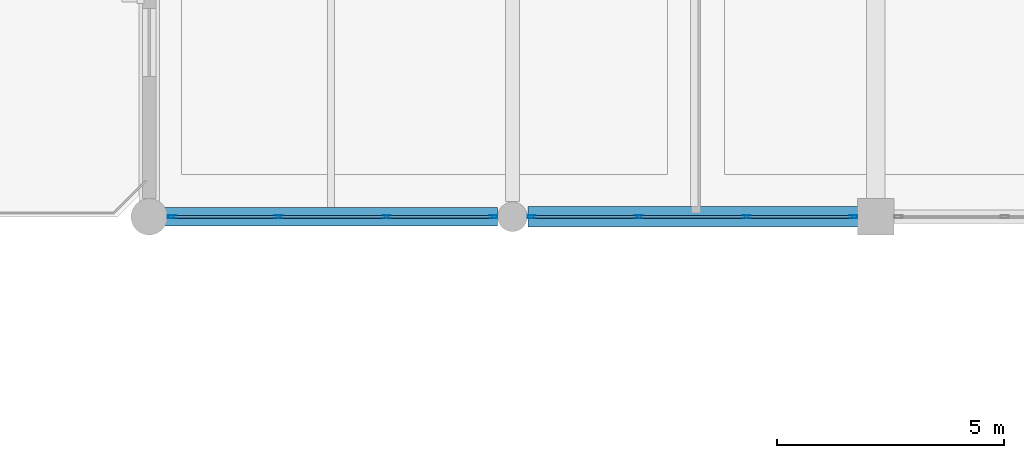
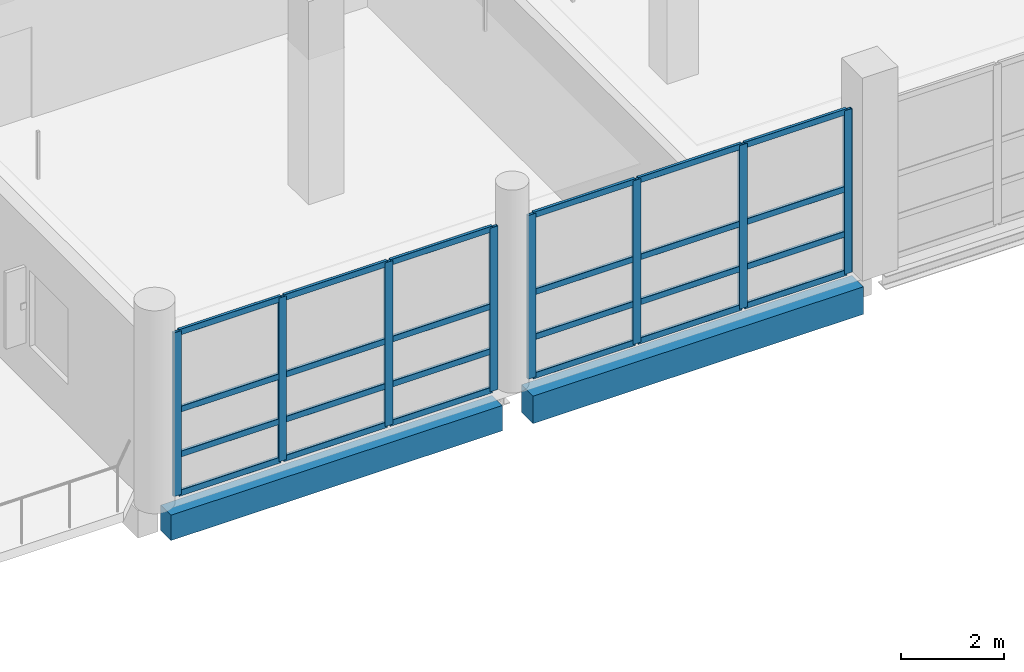
# One storey, part 48 of 107: 32 members, 2 beams, 2 elements without a shape of their own.
"""IFC4 building model written with IfcOpenShell, lengths in metres."""

import ifcopenshell
import ifcopenshell.guid

model = None  # the IFC model being written
_history = None  # IfcOwnerHistory: only IFC2X3 demands one
_inside = {}  # id of a spatial element -> (the spatial element, [elements in it])
_under = {}  # id of a project, library or spatial element -> (it, [spatial elements below it])
_declared = {}  # id of a project -> (the project, [libraries it declares])
_typed = {}  # id of a type object -> (the type object, [elements of that type])
_made_of = {}  # id of a material, layer set ... -> (it, [elements and type objects made of it])


def new_model(schema):
    """Start an empty IFC model of exactly this schema.

    Asked for "IFC4X3", IfcOpenShell would pick the latest addendum, in which some entities
    have other attributes; the version numbers below select the first issue.
    IFC2X3 requires an IfcOwnerHistory on every rooted entity: one is made here for all.
    """
    global model, _history
    if schema == "IFC4X3":
        model = ifcopenshell.file(schema_version=(4, 3, 0, 0))
    else:
        model = ifcopenshell.file(schema=schema)
    _inside.clear()
    _under.clear()
    _declared.clear()
    _typed.clear()
    _made_of.clear()
    _history = None
    if model.schema == "IFC2X3":
        org = make("IfcOrganization", Name="unknown")
        user = make(
            "IfcPersonAndOrganization",
            ThePerson=make("IfcPerson", FamilyName="unknown"),
            TheOrganization=org,
        )
        app = make(
            "IfcApplication",
            ApplicationDeveloper=org,
            Version="unknown",
            ApplicationFullName="unknown",
            ApplicationIdentifier="unknown",
        )
        _history = make(
            "IfcOwnerHistory",
            OwningUser=user,
            OwningApplication=app,
            ChangeAction="ADDED",
            CreationDate=0,
        )
    return model


def make(cls, **values):
    """One entity of the class cls with the attributes given. An attribute that is None is left unset."""
    return model.create_entity(
        cls, **{name: value for name, value in values.items() if value is not None}
    )


def rooted(cls, **values):
    """An entity with a GlobalId (a new one), such as an element, a storey or a relation."""
    return make(cls, GlobalId=ifcopenshell.guid.new(), OwnerHistory=_history, **values)


def si_unit(unit_type, name, prefix=None):
    """IfcSIUnit, for example si_unit("LENGTHUNIT", "METRE", prefix="MILLI")."""
    return make("IfcSIUnit", UnitType=unit_type, Prefix=prefix, Name=name)


def assignment(units):
    """IfcUnitAssignment: the units of a project."""
    return None if units is None else make("IfcUnitAssignment", Units=units)


def point(xyz):
    """IfcCartesianPoint."""
    return None if xyz is None else make("IfcCartesianPoint", Coordinates=xyz)


def direction(xyz):
    """IfcDirection."""
    return None if xyz is None else make("IfcDirection", DirectionRatios=xyz)


def frame(location, z_axis=None, x_axis=None):
    """IfcAxis2Placement3D, a coordinate frame: its origin and axes. An axis left out is left unset."""
    return make(
        "IfcAxis2Placement3D",
        Location=point(location),
        Axis=direction(z_axis),
        RefDirection=direction(x_axis),
    )


def frame_2d(location, x_axis=None):
    """IfcAxis2Placement2D, a coordinate frame in the plane: its origin and x axis."""
    return make(
        "IfcAxis2Placement2D", Location=point(location), RefDirection=direction(x_axis)
    )


def origin():
    """The frame at (0, 0, 0) with its axes left unset."""
    return frame((0.0, 0.0, 0.0))


def origin_2d():
    """The frame at (0, 0) in the plane with its x axis left unset."""
    return frame_2d((0.0, 0.0))


def place(relative_to, where):
    """IfcLocalPlacement: puts the frame where relative to a parent placement (None: the world)."""
    return make(
        "IfcLocalPlacement", PlacementRelTo=relative_to, RelativePlacement=where
    )


def context(
    kind, dimensions, precision=None, world=None, true_north=None, identifier=None
):
    """IfcGeometricRepresentationContext, for example the 3D "Model" context."""
    return make(
        "IfcGeometricRepresentationContext",
        ContextIdentifier=identifier,
        ContextType=kind,
        CoordinateSpaceDimension=dimensions,
        Precision=precision,
        WorldCoordinateSystem=world,
        TrueNorth=true_north,
    )


def subcontext(parent, identifier, kind, view, scale=None):
    """IfcGeometricRepresentationSubContext, for example "Body" below "Model"."""
    return make(
        "IfcGeometricRepresentationSubContext",
        ContextIdentifier=identifier,
        ContextType=kind,
        ParentContext=parent,
        TargetScale=scale,
        TargetView=view,
    )


def project(units=None, contexts=None):
    """IfcProject with its units and contexts."""
    return rooted(
        "IfcProject",
        Name="project",
        RepresentationContexts=contexts,
        UnitsInContext=assignment(units),
    )


def spatial(cls, under=None, at=None, **own):
    """A site, building, storey or space (cls), placed at a placement, below another one or the project."""
    s = rooted(cls, ObjectPlacement=at, **own)
    if under is not None:
        _under.setdefault(under.id(), (under, []))[1].append(s)
    return s


def profile(cls, at=None, kind="AREA", **sizes):
    """A parametric profile (cls). Its sizes go by their IFC names, for example OverallWidth=200.0."""
    return make(cls, ProfileType=kind, Position=at, **sizes)


def rectangle(**sizes):
    """IfcRectangleProfileDef."""
    return profile("IfcRectangleProfileDef", **sizes)


def hollow_rectangle(**sizes):
    """IfcRectangleHollowProfileDef."""
    return profile("IfcRectangleHollowProfileDef", **sizes)


def extrude(swept, where, along, depth):
    """IfcExtrudedAreaSolid: the profile swept, set in the frame where, extruded along a direction by depth."""
    return make(
        "IfcExtrudedAreaSolid",
        SweptArea=swept,
        Position=where,
        ExtrudedDirection=direction(along),
        Depth=depth,
    )


def shape(context_of_items, identifier, shape_type, items):
    """IfcShapeRepresentation: the items that make up one representation, for example the "Body"."""
    return make(
        "IfcShapeRepresentation",
        ContextOfItems=context_of_items,
        RepresentationIdentifier=identifier,
        RepresentationType=shape_type,
        Items=items,
    )


def material(Name=None, Category=None):
    """IfcMaterial."""
    return make("IfcMaterial", Name=Name, Category=Category)


def material_profile(
    of_material, cross_section, Name=None, Category=None, Priority=None
):
    """IfcMaterialProfile: a cross section and its material."""
    return make(
        "IfcMaterialProfile",
        Name=Name,
        Material=of_material,
        Profile=cross_section,
        Priority=Priority,
        Category=Category,
    )


def profile_set(profiles, Name=None, composite=None):
    """IfcMaterialProfileSet."""
    return make(
        "IfcMaterialProfileSet",
        Name=Name,
        MaterialProfiles=profiles,
        CompositeProfile=composite,
    )


def made_of(thing, what):
    """Note that an element or type object is made of a material, layer set ...; save() writes the relation."""
    if what is not None:
        _made_of.setdefault(what.id(), (what, []))[1].append(thing)
    return thing


def type_object(cls, material=None, **own):
    """A type object (cls), such as IfcWallType, which elements share."""
    return made_of(rooted(cls, **own), material)


def element(
    cls,
    number,
    at=None,
    inside=None,
    cuts=None,
    type_object=None,
    material=None,
    context=None,
    identifier="Body",
    shape_type=None,
    held_by="IfcProductDefinitionShape",
    body=None,
    shapes=None,
    **own,
):
    """One element of the class cls, such as IfcWall. Its Tag is "e" and its number.

    at: its placement. inside: the storey or other place that contains it. cuts: it is an
    opening in that element (IfcRelVoidsElement). A single representation is given by context,
    identifier, shape_type and body (its items); several are given by shapes. held_by: the class
    of the entity that holds the representations. save() writes the other relations.
    """
    e = rooted(cls, Tag="e%d" % number, ObjectPlacement=at, **own)
    if body is not None:
        shapes = [shape(context, identifier, shape_type, body)]
    if shapes is not None:
        e.Representation = make(held_by, Representations=shapes)
    if inside is not None:
        _inside.setdefault(inside.id(), (inside, []))[1].append(e)
    if cuts is not None:
        rooted(
            "IfcRelVoidsElement", RelatingBuildingElement=cuts, RelatedOpeningElement=e
        )
    if type_object is not None:
        _typed.setdefault(type_object.id(), (type_object, []))[1].append(e)
    return made_of(e, material)


def aggregate(whole, parts):
    """IfcRelAggregates: a whole, such as a stair, and the parts it consists of."""
    return rooted("IfcRelAggregates", RelatingObject=whole, RelatedObjects=parts)


def save(model, path):
    """Write the relations noted so far, then the file.

    IfcRelAggregates (storeys below a building ...), IfcRelContainedInSpatialStructure (elements
    in a storey), IfcRelDefinesByType, IfcRelAssociatesMaterial and IfcRelDeclares: one each for
    every whole, place, type object, material and project.
    """
    for whole, parts in _under.values():
        aggregate(whole, parts)
    for where, things in _inside.values():
        rooted(
            "IfcRelContainedInSpatialStructure",
            RelatedElements=things,
            RelatingStructure=where,
        )
    for kind, things in _typed.values():
        rooted("IfcRelDefinesByType", RelatedObjects=things, RelatingType=kind)
    for what, things in _made_of.values():
        rooted("IfcRelAssociatesMaterial", RelatedObjects=things, RelatingMaterial=what)
    for by, libraries in _declared.values():
        rooted("IfcRelDeclares", RelatingContext=by, RelatedDefinitions=libraries)
    model.write(path)


model = new_model("IFC4")

# Units and contexts
model_context = context("Model", 3, precision=1e-05, world=origin(), true_north=direction((0.0, 1.0)))
body_context = subcontext(model_context, "Body", "Model", "MODEL_VIEW")
ifc_project = project(units=[si_unit("LENGTHUNIT", "METRE"), si_unit("AREAUNIT", "SQUARE_METRE"), si_unit("VOLUMEUNIT", "CUBIC_METRE"), si_unit("PLANEANGLEUNIT", "RADIAN"), si_unit("MASSUNIT", "GRAM", prefix="KILO")], contexts=[model_context])

# Site, building, storey
site_placement = place(None, origin())
site = spatial("IfcSite", under=ifc_project, at=site_placement, CompositionType="ELEMENT")
building_placement = place(site_placement, origin())
building = spatial("IfcBuilding", under=site, at=building_placement, Name="Khelvaren Railside Concert Hall", CompositionType="ELEMENT")
storey_placement = place(building_placement, frame((0.0, 0.0, 15.0)))
storey = spatial("IfcBuildingStorey", under=building, at=storey_placement, Name="L03", CompositionType="ELEMENT", Elevation=15.0)

# Curtain wall, members
ifc_material_1 = material(Name="Double-glazed low-E dark acoustic glass", Category="glass")
curtain_wall_type_1 = type_object("IfcCurtainWallType", Name="CW94", PredefinedType="USERDEFINED", material=ifc_material_1)
curtain_wall_1_placement = place(storey_placement, origin())
curtain_wall_1 = element("IfcCurtainWall", 1, at=curtain_wall_1_placement, inside=storey, type_object=curtain_wall_type_1, Name="Unitised Curtain Wall CW-V5-L03-S-136", ObjectType="UNITISED CURTAIN WALL", PredefinedType="USERDEFINED")
ifc_material_2 = material(Name="Anodised architectural aluminium 6063-T6", Category="aluminium")
ifc_material_profile_1 = material_profile(ifc_material_2, hollow_rectangle(XDim=0.06494140625, YDim=0.179931640625, WallThickness=0.00390625, InnerFilletRadius=0.001953125, OuterFilletRadius=0.00390625, at=origin_2d()), Name="CWM 65x180x4")
ifc_profile_set_1 = profile_set([ifc_material_profile_1], Name="Anodised architectural aluminium 6063-T6")
member_type_1 = type_object("IfcMemberType", Name="CWM63", PredefinedType="MULLION", material=ifc_profile_set_1)
member_1_placement = place(storey_placement, frame((143.574951171875, 91.199951171875, 0.0), z_axis=(0.0, 0.0, 1.0), x_axis=(0.0, -1.0, 0.0)))
member_1 = element("IfcMember", 2, at=member_1_placement, type_object=member_type_1, Name="CW94 mullion 1", PredefinedType="MULLION", context=body_context, shape_type="SweptSolid", body=[
    extrude(hollow_rectangle(XDim=0.06494140625, YDim=0.179931640625, WallThickness=0.00390625, InnerFilletRadius=0.001953125, OuterFilletRadius=0.00390625, at=origin_2d()), origin(), (0.0, 0.0, 1.0), 3.8701171875),
])
member_2_placement = place(storey_placement, frame((141.2275390625, 91.199951171875, 0.0), z_axis=(0.0, 0.0, 1.0), x_axis=(0.0, -1.0, 0.0)))
member_2 = element("IfcMember", 3, at=member_2_placement, type_object=member_type_1, Name="CW94 mullion 2", PredefinedType="MULLION", context=body_context, shape_type="SweptSolid", body=[
    extrude(hollow_rectangle(XDim=0.06494140625, YDim=0.179931640625, WallThickness=0.00390625, InnerFilletRadius=0.001953125, OuterFilletRadius=0.00390625, at=origin_2d()), origin(), (0.0, 0.0, 1.0), 3.8701171875),
])
member_3_placement = place(storey_placement, frame((138.847412109375, 91.199951171875, 0.0), z_axis=(0.0, 0.0, 1.0), x_axis=(0.0, -1.0, 0.0)))
member_3 = element("IfcMember", 4, at=member_3_placement, type_object=member_type_1, Name="CW94 mullion 3", PredefinedType="MULLION", context=body_context, shape_type="SweptSolid", body=[
    extrude(hollow_rectangle(XDim=0.06494140625, YDim=0.179931640625, WallThickness=0.00390625, InnerFilletRadius=0.001953125, OuterFilletRadius=0.00390625, at=origin_2d()), origin(), (0.0, 0.0, 1.0), 3.8701171875),
])
member_4_placement = place(storey_placement, frame((136.5, 91.199951171875, 0.0), z_axis=(0.0, 0.0, 1.0), x_axis=(0.0, -1.0, 0.0)))
member_4 = element("IfcMember", 5, at=member_4_placement, type_object=member_type_1, Name="CW94 mullion 4", PredefinedType="MULLION", context=body_context, shape_type="SweptSolid", body=[
    extrude(hollow_rectangle(XDim=0.06494140625, YDim=0.179931640625, WallThickness=0.00390625, InnerFilletRadius=0.001953125, OuterFilletRadius=0.00390625, at=origin_2d()), origin(), (0.0, 0.0, 1.0), 3.8701171875),
])

curtain_wall_type_2 = type_object("IfcCurtainWallType", Name="CW65", PredefinedType="USERDEFINED", material=ifc_material_1)
curtain_wall_2_placement = place(storey_placement, origin())
curtain_wall_2 = element("IfcCurtainWall", 6, at=curtain_wall_2_placement, inside=storey, type_object=curtain_wall_type_2, Name="Unitised Curtain Wall CW-V5-L03-S-144", ObjectType="UNITISED CURTAIN WALL", PredefinedType="USERDEFINED")
member_5_placement = place(storey_placement, frame((151.5, 91.199951171875, 0.0), z_axis=(0.0, 0.0, 1.0), x_axis=(0.0, -1.0, 0.0)))
member_5 = element("IfcMember", 7, at=member_5_placement, type_object=member_type_1, Name="CW65 mullion 1", PredefinedType="MULLION", context=body_context, shape_type="SweptSolid", body=[
    extrude(hollow_rectangle(XDim=0.06494140625, YDim=0.179931640625, WallThickness=0.00390625, InnerFilletRadius=0.001953125, OuterFilletRadius=0.00390625, at=origin_2d()), origin(), (0.0, 0.0, 1.0), 3.8701171875),
])
member_6_placement = place(storey_placement, frame((149.152587890625, 91.199951171875, 0.0), z_axis=(0.0, 0.0, 1.0), x_axis=(0.0, -1.0, 0.0)))
member_6 = element("IfcMember", 8, at=member_6_placement, type_object=member_type_1, Name="CW65 mullion 2", PredefinedType="MULLION", context=body_context, shape_type="SweptSolid", body=[
    extrude(hollow_rectangle(XDim=0.06494140625, YDim=0.179931640625, WallThickness=0.00390625, InnerFilletRadius=0.001953125, OuterFilletRadius=0.00390625, at=origin_2d()), origin(), (0.0, 0.0, 1.0), 3.8701171875),
])
member_7_placement = place(storey_placement, frame((146.7724609375, 91.199951171875, 0.0), z_axis=(0.0, 0.0, 1.0), x_axis=(0.0, -1.0, 0.0)))
member_7 = element("IfcMember", 9, at=member_7_placement, type_object=member_type_1, Name="CW65 mullion 3", PredefinedType="MULLION", context=body_context, shape_type="SweptSolid", body=[
    extrude(hollow_rectangle(XDim=0.06494140625, YDim=0.179931640625, WallThickness=0.00390625, InnerFilletRadius=0.001953125, OuterFilletRadius=0.00390625, at=origin_2d()), origin(), (0.0, 0.0, 1.0), 3.8701171875),
])
member_8_placement = place(storey_placement, frame((144.425048828125, 91.199951171875, 0.0), z_axis=(0.0, 0.0, 1.0), x_axis=(0.0, -1.0, 0.0)))
member_8 = element("IfcMember", 10, at=member_8_placement, type_object=member_type_1, Name="CW65 mullion 4", PredefinedType="MULLION", context=body_context, shape_type="SweptSolid", body=[
    extrude(hollow_rectangle(XDim=0.06494140625, YDim=0.179931640625, WallThickness=0.00390625, InnerFilletRadius=0.001953125, OuterFilletRadius=0.00390625, at=origin_2d()), origin(), (0.0, 0.0, 1.0), 3.8701171875),
])

# Member
ifc_material_profile_2 = material_profile(ifc_material_2, hollow_rectangle(XDim=0.06494140625, YDim=0.139892578125, WallThickness=0.00390625, InnerFilletRadius=0.001953125, OuterFilletRadius=0.00390625, at=origin_2d()), Name="CWT 65x140x4")
ifc_profile_set_2 = profile_set([ifc_material_profile_2], Name="Anodised architectural aluminium 6063-T6")
member_type_2 = type_object("IfcMemberType", Name="CWT72", PredefinedType="USERDEFINED", material=ifc_profile_set_2)
member_9_placement = place(storey_placement, frame((143.54248046875, 91.199951171875, 0.032470703125), z_axis=(-1.0, 0.0, 0.0), x_axis=(0.0, -1.0, 0.0)))
member_9 = element("IfcMember", 11, at=member_9_placement, type_object=member_type_2, Name="CW94 transom 1.1", ObjectType="TRANSOM", PredefinedType="USERDEFINED", context=body_context, shape_type="SweptSolid", body=[
    extrude(hollow_rectangle(XDim=0.06494140625, YDim=0.139892578125, WallThickness=0.00390625, InnerFilletRadius=0.001953125, OuterFilletRadius=0.00390625, at=origin_2d()), origin(), (0.0, 0.0, 1.0), 2.282470703125),
])

member_10_placement = place(storey_placement, frame((143.54248046875, 91.199951171875, 0.949951171875), z_axis=(-1.0, 0.0, 0.0), x_axis=(0.0, -1.0, 0.0)))
member_10 = element("IfcMember", 12, at=member_10_placement, type_object=member_type_2, Name="CW94 transom 1.2", ObjectType="TRANSOM", PredefinedType="USERDEFINED", context=body_context, shape_type="SweptSolid", body=[
    extrude(hollow_rectangle(XDim=0.06494140625, YDim=0.139892578125, WallThickness=0.00390625, InnerFilletRadius=0.001953125, OuterFilletRadius=0.00390625, at=origin_2d()), origin(), (0.0, 0.0, 1.0), 2.282470703125),
])

member_11_placement = place(storey_placement, frame((143.54248046875, 91.199951171875, 2.012451171875), z_axis=(-1.0, 0.0, 0.0), x_axis=(0.0, -1.0, 0.0)))
member_11 = element("IfcMember", 13, at=member_11_placement, type_object=member_type_2, Name="CW94 transom 1.3", ObjectType="TRANSOM", PredefinedType="USERDEFINED", context=body_context, shape_type="SweptSolid", body=[
    extrude(hollow_rectangle(XDim=0.06494140625, YDim=0.139892578125, WallThickness=0.00390625, InnerFilletRadius=0.001953125, OuterFilletRadius=0.00390625, at=origin_2d()), origin(), (0.0, 0.0, 1.0), 2.282470703125),
])

member_12_placement = place(storey_placement, frame((143.54248046875, 91.199951171875, 3.83740234375), z_axis=(-1.0, 0.0, 0.0), x_axis=(0.0, -1.0, 0.0)))
member_12 = element("IfcMember", 14, at=member_12_placement, type_object=member_type_2, Name="CW94 transom 1.4", ObjectType="TRANSOM", PredefinedType="USERDEFINED", context=body_context, shape_type="SweptSolid", body=[
    extrude(hollow_rectangle(XDim=0.06494140625, YDim=0.139892578125, WallThickness=0.00390625, InnerFilletRadius=0.001953125, OuterFilletRadius=0.00390625, at=origin_2d()), origin(), (0.0, 0.0, 1.0), 2.282470703125),
])

member_13_placement = place(storey_placement, frame((141.195068359375, 91.199951171875, 0.032470703125), z_axis=(-1.0, 0.0, 0.0), x_axis=(0.0, -1.0, 0.0)))
member_13 = element("IfcMember", 15, at=member_13_placement, type_object=member_type_2, Name="CW94 transom 2.1", ObjectType="TRANSOM", PredefinedType="USERDEFINED", context=body_context, shape_type="SweptSolid", body=[
    extrude(hollow_rectangle(XDim=0.06494140625, YDim=0.139892578125, WallThickness=0.00390625, InnerFilletRadius=0.001953125, OuterFilletRadius=0.00390625, at=origin_2d()), origin(), (0.0, 0.0, 1.0), 2.315185546875),
])

member_14_placement = place(storey_placement, frame((141.195068359375, 91.199951171875, 0.949951171875), z_axis=(-1.0, 0.0, 0.0), x_axis=(0.0, -1.0, 0.0)))
member_14 = element("IfcMember", 16, at=member_14_placement, type_object=member_type_2, Name="CW94 transom 2.2", ObjectType="TRANSOM", PredefinedType="USERDEFINED", context=body_context, shape_type="SweptSolid", body=[
    extrude(hollow_rectangle(XDim=0.06494140625, YDim=0.139892578125, WallThickness=0.00390625, InnerFilletRadius=0.001953125, OuterFilletRadius=0.00390625, at=origin_2d()), origin(), (0.0, 0.0, 1.0), 2.315185546875),
])

member_15_placement = place(storey_placement, frame((141.195068359375, 91.199951171875, 2.012451171875), z_axis=(-1.0, 0.0, 0.0), x_axis=(0.0, -1.0, 0.0)))
member_15 = element("IfcMember", 17, at=member_15_placement, type_object=member_type_2, Name="CW94 transom 2.3", ObjectType="TRANSOM", PredefinedType="USERDEFINED", context=body_context, shape_type="SweptSolid", body=[
    extrude(hollow_rectangle(XDim=0.06494140625, YDim=0.139892578125, WallThickness=0.00390625, InnerFilletRadius=0.001953125, OuterFilletRadius=0.00390625, at=origin_2d()), origin(), (0.0, 0.0, 1.0), 2.315185546875),
])

member_16_placement = place(storey_placement, frame((141.195068359375, 91.199951171875, 3.83740234375), z_axis=(-1.0, 0.0, 0.0), x_axis=(0.0, -1.0, 0.0)))
member_16 = element("IfcMember", 18, at=member_16_placement, type_object=member_type_2, Name="CW94 transom 2.4", ObjectType="TRANSOM", PredefinedType="USERDEFINED", context=body_context, shape_type="SweptSolid", body=[
    extrude(hollow_rectangle(XDim=0.06494140625, YDim=0.139892578125, WallThickness=0.00390625, InnerFilletRadius=0.001953125, OuterFilletRadius=0.00390625, at=origin_2d()), origin(), (0.0, 0.0, 1.0), 2.315185546875),
])

member_17_placement = place(storey_placement, frame((138.81494140625, 91.199951171875, 0.032470703125), z_axis=(-1.0, 0.0, 0.0), x_axis=(0.0, -1.0, 0.0)))
member_17 = element("IfcMember", 19, at=member_17_placement, type_object=member_type_2, Name="CW94 transom 3.1", ObjectType="TRANSOM", PredefinedType="USERDEFINED", context=body_context, shape_type="SweptSolid", body=[
    extrude(hollow_rectangle(XDim=0.06494140625, YDim=0.139892578125, WallThickness=0.00390625, InnerFilletRadius=0.001953125, OuterFilletRadius=0.00390625, at=origin_2d()), origin(), (0.0, 0.0, 1.0), 2.282470703125),
])

member_18_placement = place(storey_placement, frame((138.81494140625, 91.199951171875, 0.949951171875), z_axis=(-1.0, 0.0, 0.0), x_axis=(0.0, -1.0, 0.0)))
member_18 = element("IfcMember", 20, at=member_18_placement, type_object=member_type_2, Name="CW94 transom 3.2", ObjectType="TRANSOM", PredefinedType="USERDEFINED", context=body_context, shape_type="SweptSolid", body=[
    extrude(hollow_rectangle(XDim=0.06494140625, YDim=0.139892578125, WallThickness=0.00390625, InnerFilletRadius=0.001953125, OuterFilletRadius=0.00390625, at=origin_2d()), origin(), (0.0, 0.0, 1.0), 2.282470703125),
])

member_19_placement = place(storey_placement, frame((138.81494140625, 91.199951171875, 2.012451171875), z_axis=(-1.0, 0.0, 0.0), x_axis=(0.0, -1.0, 0.0)))
member_19 = element("IfcMember", 21, at=member_19_placement, type_object=member_type_2, Name="CW94 transom 3.3", ObjectType="TRANSOM", PredefinedType="USERDEFINED", context=body_context, shape_type="SweptSolid", body=[
    extrude(hollow_rectangle(XDim=0.06494140625, YDim=0.139892578125, WallThickness=0.00390625, InnerFilletRadius=0.001953125, OuterFilletRadius=0.00390625, at=origin_2d()), origin(), (0.0, 0.0, 1.0), 2.282470703125),
])

member_20_placement = place(storey_placement, frame((138.81494140625, 91.199951171875, 3.83740234375), z_axis=(-1.0, 0.0, 0.0), x_axis=(0.0, -1.0, 0.0)))
member_20 = element("IfcMember", 22, at=member_20_placement, type_object=member_type_2, Name="CW94 transom 3.4", ObjectType="TRANSOM", PredefinedType="USERDEFINED", context=body_context, shape_type="SweptSolid", body=[
    extrude(hollow_rectangle(XDim=0.06494140625, YDim=0.139892578125, WallThickness=0.00390625, InnerFilletRadius=0.001953125, OuterFilletRadius=0.00390625, at=origin_2d()), origin(), (0.0, 0.0, 1.0), 2.282470703125),
])

aggregate(curtain_wall_1, [member_1, member_2, member_3, member_4, member_9, member_10, member_11, member_12, member_13, member_14, member_15, member_16, member_17, member_18, member_19, member_20])

member_21_placement = place(storey_placement, frame((151.467529296875, 91.199951171875, 0.032470703125), z_axis=(-1.0, 0.0, 0.0), x_axis=(0.0, -1.0, 0.0)))
member_21 = element("IfcMember", 23, at=member_21_placement, type_object=member_type_2, Name="CW65 transom 1.1", ObjectType="TRANSOM", PredefinedType="USERDEFINED", context=body_context, shape_type="SweptSolid", body=[
    extrude(hollow_rectangle(XDim=0.06494140625, YDim=0.139892578125, WallThickness=0.00390625, InnerFilletRadius=0.001953125, OuterFilletRadius=0.00390625, at=origin_2d()), origin(), (0.0, 0.0, 1.0), 2.282470703125),
])

member_22_placement = place(storey_placement, frame((151.467529296875, 91.199951171875, 0.949951171875), z_axis=(-1.0, 0.0, 0.0), x_axis=(0.0, -1.0, 0.0)))
member_22 = element("IfcMember", 24, at=member_22_placement, type_object=member_type_2, Name="CW65 transom 1.2", ObjectType="TRANSOM", PredefinedType="USERDEFINED", context=body_context, shape_type="SweptSolid", body=[
    extrude(hollow_rectangle(XDim=0.06494140625, YDim=0.139892578125, WallThickness=0.00390625, InnerFilletRadius=0.001953125, OuterFilletRadius=0.00390625, at=origin_2d()), origin(), (0.0, 0.0, 1.0), 2.282470703125),
])

member_23_placement = place(storey_placement, frame((151.467529296875, 91.199951171875, 2.012451171875), z_axis=(-1.0, 0.0, 0.0), x_axis=(0.0, -1.0, 0.0)))
member_23 = element("IfcMember", 25, at=member_23_placement, type_object=member_type_2, Name="CW65 transom 1.3", ObjectType="TRANSOM", PredefinedType="USERDEFINED", context=body_context, shape_type="SweptSolid", body=[
    extrude(hollow_rectangle(XDim=0.06494140625, YDim=0.139892578125, WallThickness=0.00390625, InnerFilletRadius=0.001953125, OuterFilletRadius=0.00390625, at=origin_2d()), origin(), (0.0, 0.0, 1.0), 2.282470703125),
])

member_24_placement = place(storey_placement, frame((151.467529296875, 91.199951171875, 3.83740234375), z_axis=(-1.0, 0.0, 0.0), x_axis=(0.0, -1.0, 0.0)))
member_24 = element("IfcMember", 26, at=member_24_placement, type_object=member_type_2, Name="CW65 transom 1.4", ObjectType="TRANSOM", PredefinedType="USERDEFINED", context=body_context, shape_type="SweptSolid", body=[
    extrude(hollow_rectangle(XDim=0.06494140625, YDim=0.139892578125, WallThickness=0.00390625, InnerFilletRadius=0.001953125, OuterFilletRadius=0.00390625, at=origin_2d()), origin(), (0.0, 0.0, 1.0), 2.282470703125),
])

member_25_placement = place(storey_placement, frame((149.1201171875, 91.199951171875, 0.032470703125), z_axis=(-1.0, 0.0, 0.0), x_axis=(0.0, -1.0, 0.0)))
member_25 = element("IfcMember", 27, at=member_25_placement, type_object=member_type_2, Name="CW65 transom 2.1", ObjectType="TRANSOM", PredefinedType="USERDEFINED", context=body_context, shape_type="SweptSolid", body=[
    extrude(hollow_rectangle(XDim=0.06494140625, YDim=0.139892578125, WallThickness=0.00390625, InnerFilletRadius=0.001953125, OuterFilletRadius=0.00390625, at=origin_2d()), origin(), (0.0, 0.0, 1.0), 2.315185546875),
])

member_26_placement = place(storey_placement, frame((149.1201171875, 91.199951171875, 0.949951171875), z_axis=(-1.0, 0.0, 0.0), x_axis=(0.0, -1.0, 0.0)))
member_26 = element("IfcMember", 28, at=member_26_placement, type_object=member_type_2, Name="CW65 transom 2.2", ObjectType="TRANSOM", PredefinedType="USERDEFINED", context=body_context, shape_type="SweptSolid", body=[
    extrude(hollow_rectangle(XDim=0.06494140625, YDim=0.139892578125, WallThickness=0.00390625, InnerFilletRadius=0.001953125, OuterFilletRadius=0.00390625, at=origin_2d()), origin(), (0.0, 0.0, 1.0), 2.315185546875),
])

member_27_placement = place(storey_placement, frame((149.1201171875, 91.199951171875, 2.012451171875), z_axis=(-1.0, 0.0, 0.0), x_axis=(0.0, -1.0, 0.0)))
member_27 = element("IfcMember", 29, at=member_27_placement, type_object=member_type_2, Name="CW65 transom 2.3", ObjectType="TRANSOM", PredefinedType="USERDEFINED", context=body_context, shape_type="SweptSolid", body=[
    extrude(hollow_rectangle(XDim=0.06494140625, YDim=0.139892578125, WallThickness=0.00390625, InnerFilletRadius=0.001953125, OuterFilletRadius=0.00390625, at=origin_2d()), origin(), (0.0, 0.0, 1.0), 2.315185546875),
])

member_28_placement = place(storey_placement, frame((149.1201171875, 91.199951171875, 3.83740234375), z_axis=(-1.0, 0.0, 0.0), x_axis=(0.0, -1.0, 0.0)))
member_28 = element("IfcMember", 30, at=member_28_placement, type_object=member_type_2, Name="CW65 transom 2.4", ObjectType="TRANSOM", PredefinedType="USERDEFINED", context=body_context, shape_type="SweptSolid", body=[
    extrude(hollow_rectangle(XDim=0.06494140625, YDim=0.139892578125, WallThickness=0.00390625, InnerFilletRadius=0.001953125, OuterFilletRadius=0.00390625, at=origin_2d()), origin(), (0.0, 0.0, 1.0), 2.315185546875),
])

member_29_placement = place(storey_placement, frame((146.739990234375, 91.199951171875, 0.032470703125), z_axis=(-1.0, 0.0, 0.0), x_axis=(0.0, -1.0, 0.0)))
member_29 = element("IfcMember", 31, at=member_29_placement, type_object=member_type_2, Name="CW65 transom 3.1", ObjectType="TRANSOM", PredefinedType="USERDEFINED", context=body_context, shape_type="SweptSolid", body=[
    extrude(hollow_rectangle(XDim=0.06494140625, YDim=0.139892578125, WallThickness=0.00390625, InnerFilletRadius=0.001953125, OuterFilletRadius=0.00390625, at=origin_2d()), origin(), (0.0, 0.0, 1.0), 2.282470703125),
])

member_30_placement = place(storey_placement, frame((146.739990234375, 91.199951171875, 0.949951171875), z_axis=(-1.0, 0.0, 0.0), x_axis=(0.0, -1.0, 0.0)))
member_30 = element("IfcMember", 32, at=member_30_placement, type_object=member_type_2, Name="CW65 transom 3.2", ObjectType="TRANSOM", PredefinedType="USERDEFINED", context=body_context, shape_type="SweptSolid", body=[
    extrude(hollow_rectangle(XDim=0.06494140625, YDim=0.139892578125, WallThickness=0.00390625, InnerFilletRadius=0.001953125, OuterFilletRadius=0.00390625, at=origin_2d()), origin(), (0.0, 0.0, 1.0), 2.282470703125),
])

member_31_placement = place(storey_placement, frame((146.739990234375, 91.199951171875, 2.012451171875), z_axis=(-1.0, 0.0, 0.0), x_axis=(0.0, -1.0, 0.0)))
member_31 = element("IfcMember", 33, at=member_31_placement, type_object=member_type_2, Name="CW65 transom 3.3", ObjectType="TRANSOM", PredefinedType="USERDEFINED", context=body_context, shape_type="SweptSolid", body=[
    extrude(hollow_rectangle(XDim=0.06494140625, YDim=0.139892578125, WallThickness=0.00390625, InnerFilletRadius=0.001953125, OuterFilletRadius=0.00390625, at=origin_2d()), origin(), (0.0, 0.0, 1.0), 2.282470703125),
])

member_32_placement = place(storey_placement, frame((146.739990234375, 91.199951171875, 3.83740234375), z_axis=(-1.0, 0.0, 0.0), x_axis=(0.0, -1.0, 0.0)))
member_32 = element("IfcMember", 34, at=member_32_placement, type_object=member_type_2, Name="CW65 transom 3.4", ObjectType="TRANSOM", PredefinedType="USERDEFINED", context=body_context, shape_type="SweptSolid", body=[
    extrude(hollow_rectangle(XDim=0.06494140625, YDim=0.139892578125, WallThickness=0.00390625, InnerFilletRadius=0.001953125, OuterFilletRadius=0.00390625, at=origin_2d()), origin(), (0.0, 0.0, 1.0), 2.282470703125),
])

aggregate(curtain_wall_2, [member_5, member_6, member_7, member_8, member_21, member_22, member_23, member_24, member_25, member_26, member_27, member_28, member_29, member_30, member_31, member_32])

# Beams
ifc_material_3 = material(Name="Concrete C40/50", Category="concrete")
ifc_material_profile_3 = material_profile(ifc_material_3, rectangle(XDim=0.449951171875, YDim=0.64990234375, at=origin_2d()), Name="RCB 450x650")
ifc_profile_set_3 = profile_set([ifc_material_profile_3], Name="Concrete C40/50")
beam_type_1 = type_object("IfcBeamType", Name="SP34", PredefinedType="SPANDREL", material=ifc_profile_set_3)
beam_1_placement = place(storey_placement, frame((144.3359375, 91.199951171875, -0.60498046875), z_axis=(1.0, 0.0, 0.0), x_axis=(0.0, 1.0, 0.0)))
element("IfcBeam", 35, at=beam_1_placement, inside=storey, type_object=beam_type_1, Name="V5 L03 Spandrel X2.3", PredefinedType="SPANDREL", context=body_context, shape_type="SweptSolid", body=[
    extrude(rectangle(XDim=0.449951171875, YDim=0.64990234375, at=origin_2d()), origin(), (0.0, 0.0, 1.0), 7.39111328125),
])
ifc_material_profile_4 = material_profile(ifc_material_3, rectangle(XDim=0.39990234375, YDim=0.60009765625, at=origin_2d()), Name="RCB 400x600")
ifc_profile_set_4 = profile_set([ifc_material_profile_4], Name="Concrete C40/50")
beam_type_2 = type_object("IfcBeamType", Name="SP75", PredefinedType="SPANDREL", material=ifc_profile_set_4)
beam_2_placement = place(storey_placement, frame((136.25, 91.199951171875, -0.580078125), z_axis=(1.0, 0.0, 0.0), x_axis=(0.0, 1.0, 0.0)))
element("IfcBeam", 36, at=beam_2_placement, inside=storey, type_object=beam_type_2, Name="V5 L03 Spandrel X2.2", PredefinedType="SPANDREL", context=body_context, shape_type="SweptSolid", body=[
    extrude(rectangle(XDim=0.39990234375, YDim=0.60009765625, at=origin_2d()), origin(), (0.0, 0.0, 1.0), 7.4140625),
])

save(model, "model.ifc")
